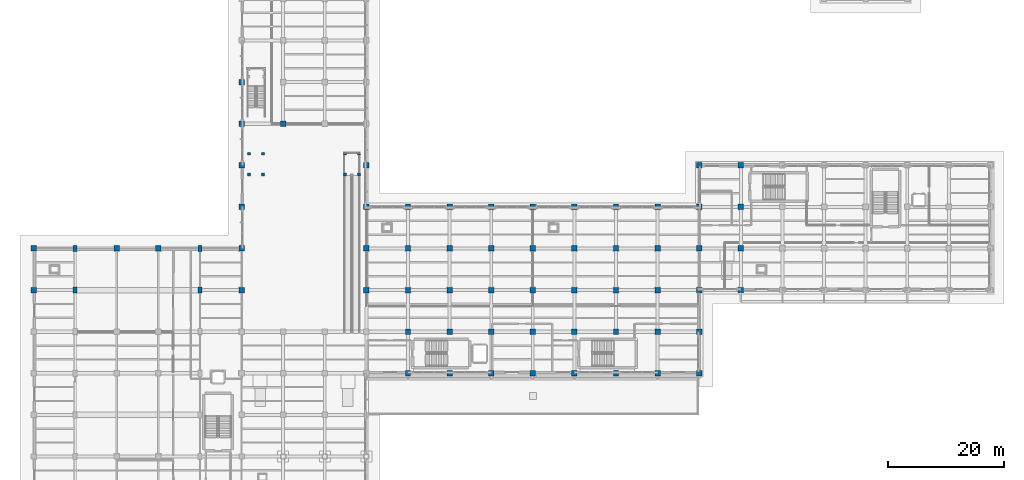
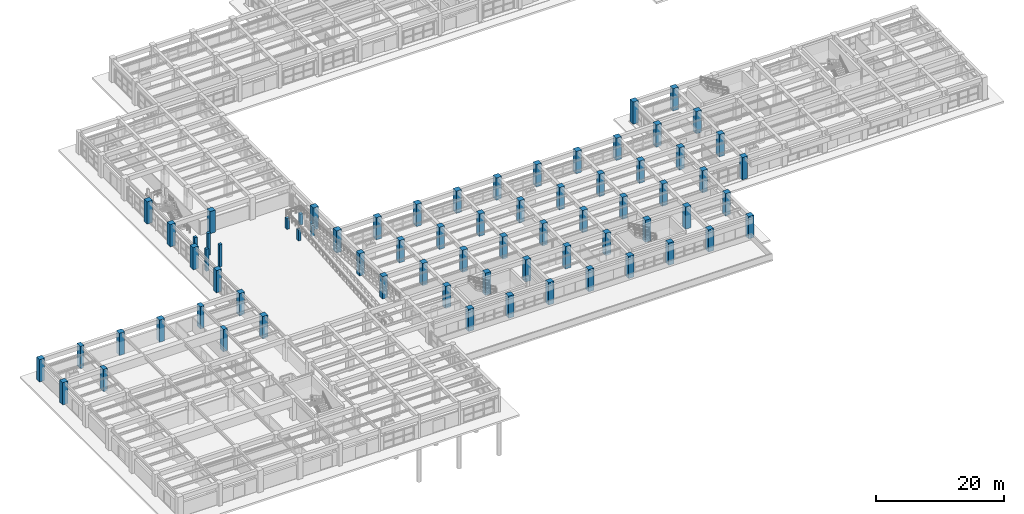
# One storey, part 3 of 64: 72 columns.
"""IFC4 building model written with IfcOpenShell, lengths in metres."""

from ifc_helpers import new_model, si_unit, direction, frame, origin, origin_2d, place, context, subcontext, project, spatial, rectangle, extrude, material, material_profile, profile_set, type_object, element, save


model = new_model("IFC4")

# Units and contexts
model_context = context("Model", 3, precision=1e-05, world=origin(), true_north=direction((0.0, 1.0)))
body_context = subcontext(model_context, "Body", "Model", "MODEL_VIEW")
ifc_project = project(units=[si_unit("LENGTHUNIT", "METRE"), si_unit("AREAUNIT", "SQUARE_METRE"), si_unit("VOLUMEUNIT", "CUBIC_METRE"), si_unit("PLANEANGLEUNIT", "RADIAN"), si_unit("MASSUNIT", "GRAM", prefix="KILO")], contexts=[model_context])

# Site, building, storey
site_placement = place(None, origin())
site = spatial("IfcSite", under=ifc_project, at=site_placement, CompositionType="ELEMENT")
building_placement = place(site_placement, origin())
building = spatial("IfcBuilding", under=site, at=building_placement, Name="Solenvale Faculty of Natural Sciences", CompositionType="ELEMENT")
storey_placement = place(building_placement, origin())
storey = spatial("IfcBuildingStorey", under=building, at=storey_placement, Name="L00", CompositionType="ELEMENT", Elevation=0.0)

# Columns
ifc_material_1 = material(Name="Concrete 40 MPa", Category="concrete")
ifc_material_profile_1 = material_profile(ifc_material_1, rectangle(XDim=0.5, YDim=0.5, at=origin_2d()), Name="RC-COL-500x500")
ifc_profile_set_1 = profile_set([ifc_material_profile_1], Name="Concrete 40 MPa")
column_type_1 = type_object("IfcColumnType", Name="COL-RC-500", PredefinedType="COLUMN", material=ifc_profile_set_1)
for number, where, z_axis, x_axis, name in (
    (1, (53.89990234375, 56.0, 0.0), (0.0, 0.0, 1.0), (1.0, 0.0, 0.0), "RMP-01 Half-Landing Support Column"),
    (2, (53.89990234375, 59.60009765625, 0.0), (0.0, 0.0, 1.0), (1.0, 0.0, 0.0), "RMP-01 Half-Landing Support Column"),
    (3, (56.300048828125, 56.0, 0.0), (0.0, 0.0, 1.0), (1.0, 0.0, 0.0), "RMP-01 Half-Landing Support Column"),
    (4, (56.300048828125, 59.60009765625, 0.0), (0.0, 0.0, 1.0), (1.0, 0.0, 0.0), "RMP-01 Half-Landing Support Column"),
):
    element("IfcColumn", number, at=place(storey_placement, frame(where, z_axis=z_axis, x_axis=x_axis)), inside=storey, type_object=column_type_1, Name=name, PredefinedType="COLUMN", context=body_context, shape_type="SweptSolid", body=[
        extrude(rectangle(XDim=0.5, YDim=0.5, at=origin_2d()), origin(), (0.0, 0.0, 1.0), 2.054931640625),
    ])
for number, where, z_axis, x_axis, name in (
    (5, (37.300048828125, 56.0, 0.0), (0.0, 0.0, 1.0), (1.0, 0.0, 0.0), "RMP-02 Landing L00 Column"),
    (6, (37.300048828125, 59.60009765625, 0.0), (0.0, 0.0, 1.0), (1.0, 0.0, 0.0), "RMP-02 Landing L00 Column"),
    (7, (39.699951171875, 56.0, 0.0), (0.0, 0.0, 1.0), (1.0, 0.0, 0.0), "RMP-02 Landing L00 Column"),
    (8, (39.699951171875, 59.60009765625, 0.0), (0.0, 0.0, 1.0), (1.0, 0.0, 0.0), "RMP-02 Landing L00 Column"),
):
    element("IfcColumn", number, at=place(storey_placement, frame(where, z_axis=z_axis, x_axis=x_axis)), inside=storey, type_object=column_type_1, Name=name, PredefinedType="COLUMN", context=body_context, shape_type="SweptSolid", body=[
        extrude(rectangle(XDim=0.5, YDim=0.5, at=origin_2d()), origin(), (0.0, 0.0, 1.0), 4.219970703125),
    ])
ifc_material_2 = material(Name="Concrete 50 MPa", Category="concrete")
ifc_material_profile_2 = material_profile(ifc_material_2, rectangle(XDim=0.699951171875, YDim=1.050048828125, at=origin_2d()), Name="RC-COL-700x1050")
ifc_profile_set_2 = profile_set([ifc_material_profile_2], Name="Concrete 50 MPa")
column_type_2 = type_object("IfcColumnType", Name="COL-RC-700x1050", PredefinedType="COLUMN", material=ifc_profile_set_2)
for number, where, z_axis, x_axis, name in (
    (9, (7.199951171875, 36.0, 0.0), (0.0, 0.0, 1.0), (1.0, 0.0, 0.0), "L00 Column (7.2, 36.0)"),
    (10, (7.199951171875, 43.199951171875, 0.0), (0.0, 0.0, 1.0), (1.0, 0.0, 0.0), "L00 Column (7.2, 43.2)"),
    (11, (28.800048828125, 36.0, 0.0), (0.0, 0.0, 1.0), (1.0, 0.0, 0.0), "L00 Column (28.8, 36.0)"),
    (12, (28.800048828125, 43.199951171875, 0.0), (0.0, 0.0, 1.0), (1.0, 0.0, 0.0), "L00 Column (28.8, 43.2)"),
):
    element("IfcColumn", number, at=place(storey_placement, frame(where, z_axis=z_axis, x_axis=x_axis)), inside=storey, type_object=column_type_2, Name=name, PredefinedType="COLUMN", context=body_context, shape_type="SweptSolid", body=[
        extrude(rectangle(XDim=0.699951171875, YDim=1.050048828125, at=origin_2d()), origin(), (0.0, 0.0, 1.0), 4.219970703125),
    ])
ifc_material_profile_3 = material_profile(ifc_material_2, rectangle(XDim=0.949951171875, YDim=0.949951171875, at=origin_2d()), Name="RC-COL-950x950")
ifc_profile_set_3 = profile_set([ifc_material_profile_3], Name="Concrete 50 MPa")
column_type_3 = type_object("IfcColumnType", Name="COL-RC-950", PredefinedType="COLUMN", material=ifc_profile_set_3)
for number, where, z_axis, x_axis, name in (
    (13, (0.0, 36.0, 0.0), (0.0, 0.0, 1.0), (1.0, 0.0, 0.0), "L00 Column (0.0, 36.0)"),
    (14, (0.0, 43.199951171875, 0.0), (0.0, 0.0, 1.0), (1.0, 0.0, 0.0), "L00 Column (0.0, 43.2)"),
    (15, (14.39990234375, 43.199951171875, 0.0), (0.0, 0.0, 1.0), (1.0, 0.0, 0.0), "L00 Column (14.4, 43.2)"),
    (16, (21.60009765625, 43.199951171875, 0.0), (0.0, 0.0, 1.0), (1.0, 0.0, 0.0), "L00 Column (21.6, 43.2)"),
    (17, (36.0, 36.0, 0.0), (0.0, 0.0, 1.0), (1.0, 0.0, 0.0), "L00 Column (36.0, 36.0)"),
    (18, (36.0, 43.199951171875, 0.0), (0.0, 0.0, 1.0), (1.0, 0.0, 0.0), "L00 Column (36.0, 43.2)"),
    (19, (36.0, 50.39990234375, 0.0), (0.0, 0.0, 1.0), (1.0, 0.0, 0.0), "L00 Column (36.0, 50.4)"),
    (20, (36.0, 57.60009765625, 0.0), (0.0, 0.0, 1.0), (1.0, 0.0, 0.0), "L00 Column (36.0, 57.6)"),
    (21, (36.0, 64.800048828125, 0.0), (0.0, 0.0, 1.0), (1.0, 0.0, 0.0), "L00 Column (36.0, 64.8)"),
    (22, (36.0, 72.0, 0.0), (0.0, 0.0, 1.0), (1.0, 0.0, 0.0), "L00 Column (36.0, 72.0)"),
    (23, (43.199951171875, 64.800048828125, 0.0), (0.0, 0.0, 1.0), (1.0, 0.0, 0.0), "L00 Column (43.2, 64.8)"),
    (24, (57.60009765625, 36.0, 0.0), (0.0, 0.0, 1.0), (1.0, 0.0, 0.0), "L00 Column (57.6, 36.0)"),
    (25, (57.60009765625, 43.199951171875, 0.0), (0.0, 0.0, 1.0), (1.0, 0.0, 0.0), "L00 Column (57.6, 43.2)"),
    (26, (57.60009765625, 50.39990234375, 0.0), (0.0, 0.0, 1.0), (1.0, 0.0, 0.0), "L00 Column (57.6, 50.4)"),
    (27, (57.60009765625, 57.60009765625, 0.0), (0.0, 0.0, 1.0), (1.0, 0.0, 0.0), "L00 Column (57.6, 57.6)"),
    (28, (64.800048828125, 21.60009765625, 0.0), (0.0, 0.0, 1.0), (1.0, 0.0, 0.0), "L00 Column (64.8, 21.6)"),
    (29, (64.800048828125, 28.800048828125, 0.0), (0.0, 0.0, 1.0), (1.0, 0.0, 0.0), "L00 Column (64.8, 28.8)"),
    (30, (64.800048828125, 36.0, 0.0), (0.0, 0.0, 1.0), (1.0, 0.0, 0.0), "L00 Column (64.8, 36.0)"),
    (31, (64.800048828125, 43.199951171875, 0.0), (0.0, 0.0, 1.0), (1.0, 0.0, 0.0), "L00 Column (64.8, 43.2)"),
    (32, (64.800048828125, 50.39990234375, 0.0), (0.0, 0.0, 1.0), (1.0, 0.0, 0.0), "L00 Column (64.8, 50.4)"),
    (33, (72.0, 21.60009765625, 0.0), (0.0, 0.0, 1.0), (1.0, 0.0, 0.0), "L00 Column (72.0, 21.6)"),
    (34, (72.0, 28.800048828125, 0.0), (0.0, 0.0, 1.0), (1.0, 0.0, 0.0), "L00 Column (72.0, 28.8)"),
    (35, (72.0, 36.0, 0.0), (0.0, 0.0, 1.0), (1.0, 0.0, 0.0), "L00 Column (72.0, 36.0)"),
    (36, (72.0, 43.199951171875, 0.0), (0.0, 0.0, 1.0), (1.0, 0.0, 0.0), "L00 Column (72.0, 43.2)"),
    (37, (72.0, 50.39990234375, 0.0), (0.0, 0.0, 1.0), (1.0, 0.0, 0.0), "L00 Column (72.0, 50.4)"),
    (38, (79.199951171875, 21.60009765625, 0.0), (0.0, 0.0, 1.0), (1.0, 0.0, 0.0), "L00 Column (79.2, 21.6)"),
    (39, (79.199951171875, 28.800048828125, 0.0), (0.0, 0.0, 1.0), (1.0, 0.0, 0.0), "L00 Column (79.2, 28.8)"),
    (40, (79.199951171875, 36.0, 0.0), (0.0, 0.0, 1.0), (1.0, 0.0, 0.0), "L00 Column (79.2, 36.0)"),
    (41, (79.199951171875, 43.199951171875, 0.0), (0.0, 0.0, 1.0), (1.0, 0.0, 0.0), "L00 Column (79.2, 43.2)"),
    (42, (79.199951171875, 50.39990234375, 0.0), (0.0, 0.0, 1.0), (1.0, 0.0, 0.0), "L00 Column (79.2, 50.4)"),
    (43, (86.39990234375, 21.60009765625, 0.0), (0.0, 0.0, 1.0), (1.0, 0.0, 0.0), "L00 Column (86.4, 21.6)"),
    (44, (86.39990234375, 28.800048828125, 0.0), (0.0, 0.0, 1.0), (1.0, 0.0, 0.0), "L00 Column (86.4, 28.8)"),
    (45, (86.39990234375, 36.0, 0.0), (0.0, 0.0, 1.0), (1.0, 0.0, 0.0), "L00 Column (86.4, 36.0)"),
    (46, (86.39990234375, 43.199951171875, 0.0), (0.0, 0.0, 1.0), (1.0, 0.0, 0.0), "L00 Column (86.4, 43.2)"),
    (47, (86.39990234375, 50.39990234375, 0.0), (0.0, 0.0, 1.0), (1.0, 0.0, 0.0), "L00 Column (86.4, 50.4)"),
    (48, (93.60009765625, 21.60009765625, 0.0), (0.0, 0.0, 1.0), (1.0, 0.0, 0.0), "L00 Column (93.6, 21.6)"),
    (49, (93.60009765625, 28.800048828125, 0.0), (0.0, 0.0, 1.0), (1.0, 0.0, 0.0), "L00 Column (93.6, 28.8)"),
    (50, (93.60009765625, 36.0, 0.0), (0.0, 0.0, 1.0), (1.0, 0.0, 0.0), "L00 Column (93.6, 36.0)"),
    (51, (93.60009765625, 43.199951171875, 0.0), (0.0, 0.0, 1.0), (1.0, 0.0, 0.0), "L00 Column (93.6, 43.2)"),
    (52, (93.60009765625, 50.39990234375, 0.0), (0.0, 0.0, 1.0), (1.0, 0.0, 0.0), "L00 Column (93.6, 50.4)"),
    (53, (100.800048828125, 21.60009765625, 0.0), (0.0, 0.0, 1.0), (1.0, 0.0, 0.0), "L00 Column (100.8, 21.6)"),
    (54, (100.800048828125, 28.800048828125, 0.0), (0.0, 0.0, 1.0), (1.0, 0.0, 0.0), "L00 Column (100.8, 28.8)"),
    (55, (100.800048828125, 36.0, 0.0), (0.0, 0.0, 1.0), (1.0, 0.0, 0.0), "L00 Column (100.8, 36.0)"),
    (56, (100.800048828125, 43.199951171875, 0.0), (0.0, 0.0, 1.0), (1.0, 0.0, 0.0), "L00 Column (100.8, 43.2)"),
    (57, (100.800048828125, 50.39990234375, 0.0), (0.0, 0.0, 1.0), (1.0, 0.0, 0.0), "L00 Column (100.8, 50.4)"),
    (58, (108.0, 21.60009765625, 0.0), (0.0, 0.0, 1.0), (1.0, 0.0, 0.0), "L00 Column (108.0, 21.6)"),
    (59, (108.0, 28.800048828125, 0.0), (0.0, 0.0, 1.0), (1.0, 0.0, 0.0), "L00 Column (108.0, 28.8)"),
    (60, (108.0, 36.0, 0.0), (0.0, 0.0, 1.0), (1.0, 0.0, 0.0), "L00 Column (108.0, 36.0)"),
    (61, (108.0, 43.199951171875, 0.0), (0.0, 0.0, 1.0), (1.0, 0.0, 0.0), "L00 Column (108.0, 43.2)"),
    (62, (108.0, 50.39990234375, 0.0), (0.0, 0.0, 1.0), (1.0, 0.0, 0.0), "L00 Column (108.0, 50.4)"),
    (63, (115.199951171875, 21.60009765625, 0.0), (0.0, 0.0, 1.0), (1.0, 0.0, 0.0), "L00 Column (115.2, 21.6)"),
    (64, (115.199951171875, 28.800048828125, 0.0), (0.0, 0.0, 1.0), (1.0, 0.0, 0.0), "L00 Column (115.2, 28.8)"),
    (65, (115.199951171875, 36.0, 0.0), (0.0, 0.0, 1.0), (1.0, 0.0, 0.0), "L00 Column (115.2, 36.0)"),
    (66, (115.199951171875, 43.199951171875, 0.0), (0.0, 0.0, 1.0), (1.0, 0.0, 0.0), "L00 Column (115.2, 43.2)"),
    (67, (115.199951171875, 50.39990234375, 0.0), (0.0, 0.0, 1.0), (1.0, 0.0, 0.0), "L00 Column (115.2, 50.4)"),
    (68, (115.199951171875, 57.60009765625, 0.0), (0.0, 0.0, 1.0), (1.0, 0.0, 0.0), "L00 Column (115.2, 57.6)"),
    (69, (122.39990234375, 36.0, 0.0), (0.0, 0.0, 1.0), (1.0, 0.0, 0.0), "L00 Column (122.4, 36.0)"),
    (70, (122.39990234375, 43.199951171875, 0.0), (0.0, 0.0, 1.0), (1.0, 0.0, 0.0), "L00 Column (122.4, 43.2)"),
    (71, (122.39990234375, 50.39990234375, 0.0), (0.0, 0.0, 1.0), (1.0, 0.0, 0.0), "L00 Column (122.4, 50.4)"),
    (72, (122.39990234375, 57.60009765625, 0.0), (0.0, 0.0, 1.0), (1.0, 0.0, 0.0), "L00 Column (122.4, 57.6)"),
):
    element("IfcColumn", number, at=place(storey_placement, frame(where, z_axis=z_axis, x_axis=x_axis)), inside=storey, type_object=column_type_3, Name=name, PredefinedType="COLUMN", context=body_context, shape_type="SweptSolid", body=[
        extrude(rectangle(XDim=0.949951171875, YDim=0.949951171875, at=origin_2d()), origin(), (0.0, 0.0, 1.0), 4.219970703125),
    ])

save(model, "model.ifc")
